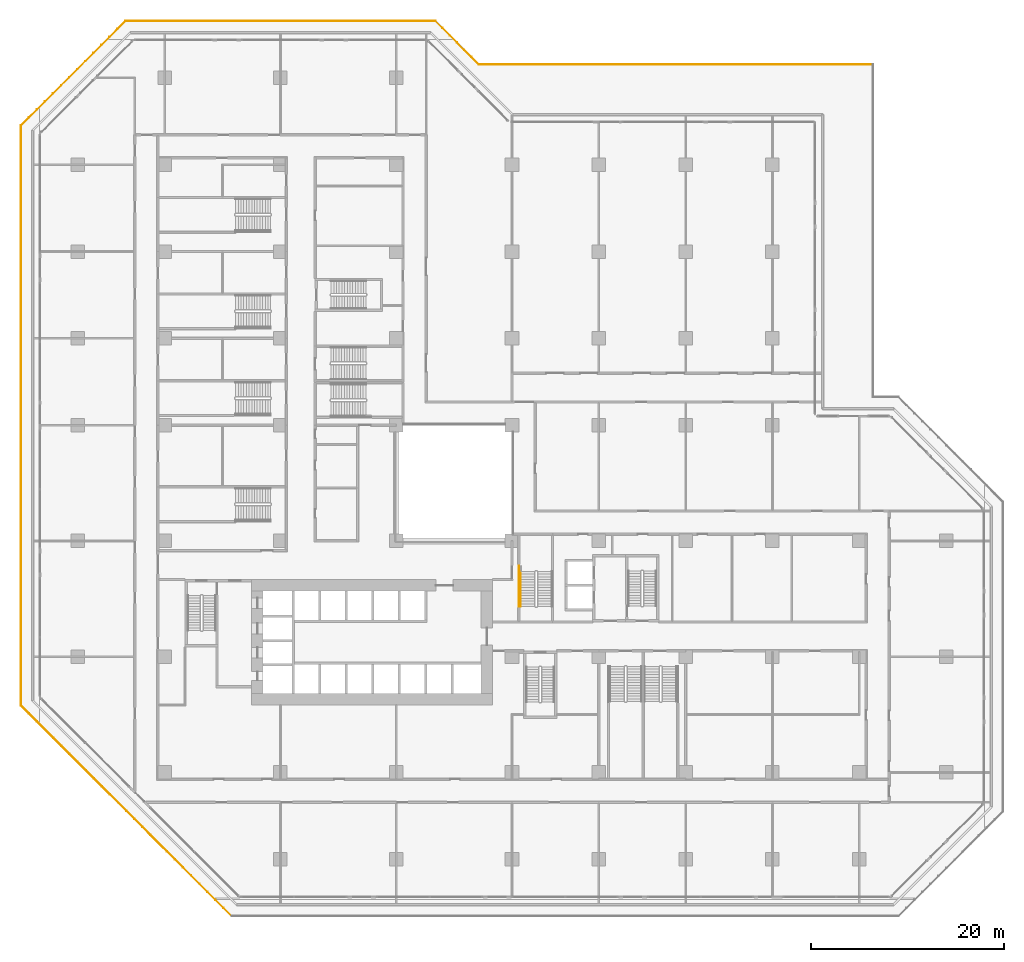
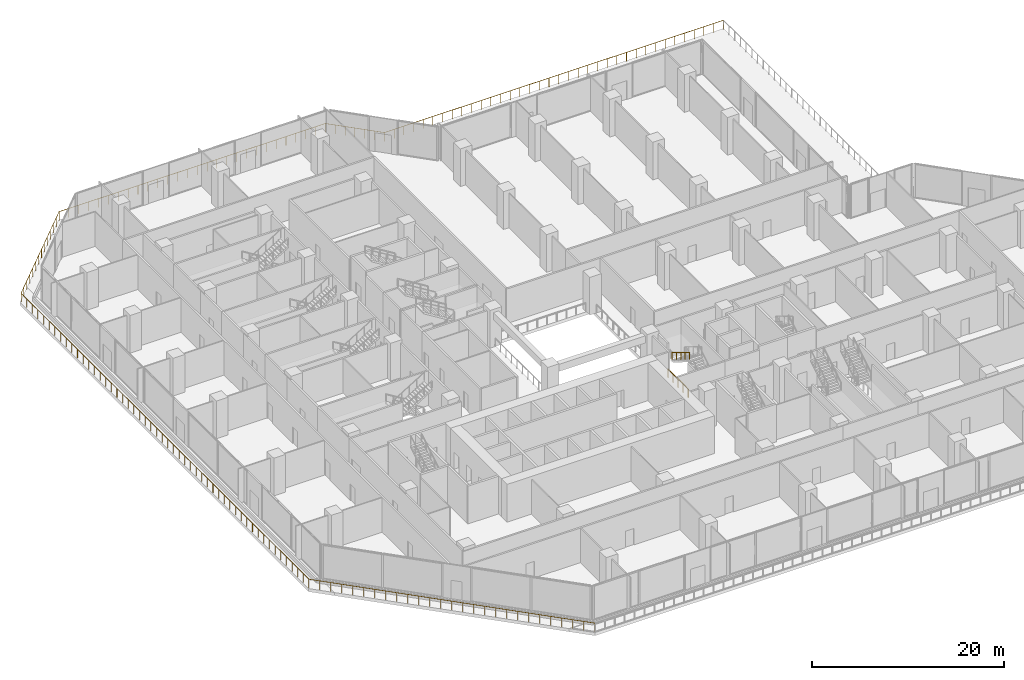
# One storey, part 27 of 31: 3 railings.
"""IFC4 building model written with IfcOpenShell, lengths in metres."""

from ifc_helpers import new_model, si_unit, direction, frame, origin, origin_2d, place, context, subcontext, project, spatial, rectangle, extrude, material, type_object, element, save


model = new_model("IFC4")

# Units and contexts
model_context = context("Model", 3, precision=1e-05, world=origin(), true_north=direction((0.0, 1.0)))
body_context = subcontext(model_context, "Body", "Model", "MODEL_VIEW")
ifc_project = project(units=[si_unit("LENGTHUNIT", "METRE"), si_unit("AREAUNIT", "SQUARE_METRE"), si_unit("VOLUMEUNIT", "CUBIC_METRE"), si_unit("PLANEANGLEUNIT", "RADIAN"), si_unit("MASSUNIT", "GRAM", prefix="KILO")], contexts=[model_context])

# Site, building, storey
site_placement = place(None, origin())
site = spatial("IfcSite", under=ifc_project, at=site_placement, CompositionType="ELEMENT")
building_placement = place(site_placement, origin())
building = spatial("IfcBuilding", under=site, at=building_placement, Name="Chenar Terraces", CompositionType="ELEMENT")
storey_placement = place(building_placement, frame((0.0, 0.0, 7.199951171875)))
storey = spatial("IfcBuildingStorey", under=building, at=storey_placement, Name="L01", CompositionType="ELEMENT", Elevation=7.199951171875)

# Railings
ifc_material_1 = material(Name="Powder-coated steel", Category="steel")
railing_type_1 = type_object("IfcRailingType", Name="Stair guard 1100", PredefinedType="GUARDRAIL", material=ifc_material_1)
railing_1_placement = place(storey_placement, frame((36.72509765625, 21.39990234375, 0.0)))
element("IfcRailing", 1, at=railing_1_placement, inside=storey, type_object=railing_type_1, Name="L01 PS1 stair guard 101", PredefinedType="GUARDRAIL", context=body_context, shape_type="SweptSolid", body=[
    extrude(rectangle(XDim=0.048095703125, YDim=0.048095703125, at=origin_2d()), frame((0.0, 0.0, 1.076171875), z_axis=(0.0, -1.0, 0.0), x_axis=(1.0, 0.0, 0.0)), (0.0, 0.0, 1.0), 4.199951171875),
    extrude(rectangle(XDim=0.0419921875, YDim=0.0419921875, at=origin_2d()), origin(), (0.0, 0.0, 1.0), 1.052001953125),
    extrude(rectangle(XDim=0.0419921875, YDim=0.0419921875, at=origin_2d()), frame((0.0, -1.050048828125, 0.0)), (0.0, 0.0, 1.0), 1.052001953125),
    extrude(rectangle(XDim=0.0419921875, YDim=0.0419921875, at=origin_2d()), frame((0.0, -2.10009765625, 0.0)), (0.0, 0.0, 1.0), 1.052001953125),
    extrude(rectangle(XDim=0.0419921875, YDim=0.0419921875, at=origin_2d()), frame((0.0, -3.14990234375, 0.0)), (0.0, 0.0, 1.0), 1.052001953125),
    extrude(rectangle(XDim=0.0419921875, YDim=0.0419921875, at=origin_2d()), frame((0.0, -4.199951171875, 0.0)), (0.0, 0.0, 1.0), 1.052001953125),
])
ifc_material_2 = material(Name="Powder-coated steel", Category="steel")
railing_type_2 = type_object("IfcRailingType", Name="Stair handrail 900", PredefinedType="HANDRAIL", material=ifc_material_2)
railing_2_placement = place(storey_placement, frame((36.875, 20.840087890625, 2.571533203125)))
element("IfcRailing", 2, at=railing_2_placement, inside=storey, type_object=railing_type_2, Name="L01 PS1 stair handrail 2", PredefinedType="HANDRAIL", context=body_context, shape_type="SweptSolid", body=[
    extrude(rectangle(XDim=0.048095703125, YDim=0.048095703125, at=origin_2d()), frame((0.0, 0.0, 0.8759765625), z_axis=(0.0, -0.852865859571, 0.52213008492), x_axis=(1.0, 0.0, 0.0)), (0.0, 0.0, 1.0), 4.26806640625),
    extrude(rectangle(XDim=0.0419921875, YDim=0.0419921875, at=origin_2d()), origin(), (0.0, 0.0, 1.0), 0.851806640625),
    extrude(rectangle(XDim=0.0419921875, YDim=0.0419921875, at=origin_2d()), frame((0.0, -0.91015625, 0.55712890625)), (0.0, 0.0, 1.0), 0.851806640625),
    extrude(rectangle(XDim=0.0419921875, YDim=0.0419921875, at=origin_2d()), frame((0.0, -1.820068359375, 1.1142578125)), (0.0, 0.0, 1.0), 0.851806640625),
    extrude(rectangle(XDim=0.0419921875, YDim=0.0419921875, at=origin_2d()), frame((0.0, -2.72998046875, 1.67138671875)), (0.0, 0.0, 1.0), 0.851806640625),
    extrude(rectangle(XDim=0.0419921875, YDim=0.0419921875, at=origin_2d()), frame((0.0, -3.64013671875, 2.228515625)), (0.0, 0.0, 1.0), 0.851806640625),
])
ifc_material_3 = material(Name="Stainless steel and glass", Category="steel")
railing_type_3 = type_object("IfcRailingType", Name="Terrace guard 1150", PredefinedType="GUARDRAIL", material=ifc_material_3)
railing_3_placement = place(storey_placement, frame((6.949462890625, -14.89990234375, 0.0)))
element("IfcRailing", 3, at=railing_3_placement, inside=storey, type_object=railing_type_3, Name="Terrace guard", PredefinedType="GUARDRAIL", context=body_context, shape_type="SweptSolid", body=[
    extrude(rectangle(XDim=0.048095703125, YDim=0.048095703125, at=origin_2d()), frame((0.0, 0.0, 1.1259765625), z_axis=(-0.707106781187, 0.707106781187, 0.0), x_axis=(-0.707106781187, -0.707106781187, 0.0)), (0.0, 0.0, 1.0), 30.899658203125),
    extrude(rectangle(XDim=0.048095703125, YDim=0.048095703125, at=origin_2d()), frame((-21.849365234375, 21.849365234375, 1.1259765625), z_axis=(0.0, 1.0, 0.0), x_axis=(-1.0, 0.0, 0.0)), (0.0, 0.0, 1.0), 60.10107421875),
    extrude(rectangle(XDim=0.048095703125, YDim=0.048095703125, at=origin_2d()), frame((-21.849365234375, 81.950439453125, 1.1259765625), z_axis=(0.707106781187, 0.707106781187, 0.0), x_axis=(-0.707106781187, 0.707106781187, 0.0)), (0.0, 0.0, 1.0), 15.34326171875),
    extrude(rectangle(XDim=0.048095703125, YDim=0.048095703125, at=origin_2d()), frame((-11.0, 92.7998046875, 1.1259765625), z_axis=(1.0, 0.0, 0.0), x_axis=(0.0, 1.0, 0.0)), (0.0, 0.0, 1.0), 32.10107421875),
    extrude(rectangle(XDim=0.048095703125, YDim=0.048095703125, at=origin_2d()), frame((21.10107421875, 92.7998046875, 1.1259765625), z_axis=(0.707106781187, -0.707106781187, 0.0), x_axis=(0.707106781187, 0.707106781187, 0.0)), (0.0, 0.0, 1.0), 6.364013671875),
    extrude(rectangle(XDim=0.048095703125, YDim=0.048095703125, at=origin_2d()), frame((25.60107421875, 88.2998046875, 1.1259765625), z_axis=(1.0, 0.0, 0.0), x_axis=(0.0, 1.0, 0.0)), (0.0, 0.0, 1.0), 40.849365234375),
    extrude(rectangle(XDim=0.0419921875, YDim=0.0419921875, at=origin_2d()), origin(), (0.0, 0.0, 1.0), 1.101806640625),
    extrude(rectangle(XDim=0.0419921875, YDim=0.0419921875, at=origin_2d()), frame((-0.84033203125, 0.84033203125, 0.0)), (0.0, 0.0, 1.0), 1.101806640625),
    extrude(rectangle(XDim=0.0419921875, YDim=0.0419921875, at=origin_2d()), frame((-1.6806640625, 1.6806640625, 0.0)), (0.0, 0.0, 1.0), 1.101806640625),
    extrude(rectangle(XDim=0.0419921875, YDim=0.0419921875, at=origin_2d()), frame((-2.52099609375, 2.52099609375, 0.0)), (0.0, 0.0, 1.0), 1.101806640625),
    extrude(rectangle(XDim=0.0419921875, YDim=0.0419921875, at=origin_2d()), frame((-3.361328125, 3.361328125, 0.0)), (0.0, 0.0, 1.0), 1.101806640625),
    extrude(rectangle(XDim=0.0419921875, YDim=0.0419921875, at=origin_2d()), frame((-4.201904296875, 4.201904296875, 0.0)), (0.0, 0.0, 1.0), 1.101806640625),
    extrude(rectangle(XDim=0.0419921875, YDim=0.0419921875, at=origin_2d()), frame((-5.042236328125, 5.042236328125, 0.0)), (0.0, 0.0, 1.0), 1.101806640625),
    extrude(rectangle(XDim=0.0419921875, YDim=0.0419921875, at=origin_2d()), frame((-5.882568359375, 5.882568359375, 0.0)), (0.0, 0.0, 1.0), 1.101806640625),
    extrude(rectangle(XDim=0.0419921875, YDim=0.0419921875, at=origin_2d()), frame((-6.722900390625, 6.722900390625, 0.0)), (0.0, 0.0, 1.0), 1.101806640625),
    extrude(rectangle(XDim=0.0419921875, YDim=0.0419921875, at=origin_2d()), frame((-7.563232421875, 7.563232421875, 0.0)), (0.0, 0.0, 1.0), 1.101806640625),
    extrude(rectangle(XDim=0.0419921875, YDim=0.0419921875, at=origin_2d()), frame((-8.403564453125, 8.403564453125, 0.0)), (0.0, 0.0, 1.0), 1.101806640625),
    extrude(rectangle(XDim=0.0419921875, YDim=0.0419921875, at=origin_2d()), frame((-9.243896484375, 9.243896484375, 0.0)), (0.0, 0.0, 1.0), 1.101806640625),
    extrude(rectangle(XDim=0.0419921875, YDim=0.0419921875, at=origin_2d()), frame((-10.084228515625, 10.084228515625, 0.0)), (0.0, 0.0, 1.0), 1.101806640625),
    extrude(rectangle(XDim=0.0419921875, YDim=0.0419921875, at=origin_2d()), frame((-10.9248046875, 10.9248046875, 0.0)), (0.0, 0.0, 1.0), 1.101806640625),
    extrude(rectangle(XDim=0.0419921875, YDim=0.0419921875, at=origin_2d()), frame((-11.76513671875, 11.76513671875, 0.0)), (0.0, 0.0, 1.0), 1.101806640625),
    extrude(rectangle(XDim=0.0419921875, YDim=0.0419921875, at=origin_2d()), frame((-12.60546875, 12.60546875, 0.0)), (0.0, 0.0, 1.0), 1.101806640625),
    extrude(rectangle(XDim=0.0419921875, YDim=0.0419921875, at=origin_2d()), frame((-13.44580078125, 13.44580078125, 0.0)), (0.0, 0.0, 1.0), 1.101806640625),
    extrude(rectangle(XDim=0.0419921875, YDim=0.0419921875, at=origin_2d()), frame((-14.2861328125, 14.2861328125, 0.0)), (0.0, 0.0, 1.0), 1.101806640625),
    extrude(rectangle(XDim=0.0419921875, YDim=0.0419921875, at=origin_2d()), frame((-15.12646484375, 15.12646484375, 0.0)), (0.0, 0.0, 1.0), 1.101806640625),
    extrude(rectangle(XDim=0.0419921875, YDim=0.0419921875, at=origin_2d()), frame((-15.966796875, 15.966796875, 0.0)), (0.0, 0.0, 1.0), 1.101806640625),
    extrude(rectangle(XDim=0.0419921875, YDim=0.0419921875, at=origin_2d()), frame((-16.80712890625, 16.80712890625, 0.0)), (0.0, 0.0, 1.0), 1.101806640625),
    extrude(rectangle(XDim=0.0419921875, YDim=0.0419921875, at=origin_2d()), frame((-17.6474609375, 17.6474609375, 0.0)), (0.0, 0.0, 1.0), 1.101806640625),
    extrude(rectangle(XDim=0.0419921875, YDim=0.0419921875, at=origin_2d()), frame((-18.488037109375, 18.488037109375, 0.0)), (0.0, 0.0, 1.0), 1.101806640625),
    extrude(rectangle(XDim=0.0419921875, YDim=0.0419921875, at=origin_2d()), frame((-19.328369140625, 19.328369140625, 0.0)), (0.0, 0.0, 1.0), 1.101806640625),
    extrude(rectangle(XDim=0.0419921875, YDim=0.0419921875, at=origin_2d()), frame((-20.168701171875, 20.168701171875, 0.0)), (0.0, 0.0, 1.0), 1.101806640625),
    extrude(rectangle(XDim=0.0419921875, YDim=0.0419921875, at=origin_2d()), frame((-21.009033203125, 21.009033203125, 0.0)), (0.0, 0.0, 1.0), 1.101806640625),
    extrude(rectangle(XDim=0.0419921875, YDim=0.0419921875, at=origin_2d()), frame((-21.849365234375, 21.849365234375, 0.0)), (0.0, 0.0, 1.0), 1.101806640625),
    extrude(rectangle(XDim=0.0419921875, YDim=0.0419921875, at=origin_2d()), frame((-21.849365234375, 23.02783203125, 0.0)), (0.0, 0.0, 1.0), 1.101806640625),
    extrude(rectangle(XDim=0.0419921875, YDim=0.0419921875, at=origin_2d()), frame((-21.849365234375, 24.206298828125, 0.0)), (0.0, 0.0, 1.0), 1.101806640625),
    extrude(rectangle(XDim=0.0419921875, YDim=0.0419921875, at=origin_2d()), frame((-21.849365234375, 25.384765625, 0.0)), (0.0, 0.0, 1.0), 1.101806640625),
    extrude(rectangle(XDim=0.0419921875, YDim=0.0419921875, at=origin_2d()), frame((-21.849365234375, 26.563232421875, 0.0)), (0.0, 0.0, 1.0), 1.101806640625),
    extrude(rectangle(XDim=0.0419921875, YDim=0.0419921875, at=origin_2d()), frame((-21.849365234375, 27.74169921875, 0.0)), (0.0, 0.0, 1.0), 1.101806640625),
    extrude(rectangle(XDim=0.0419921875, YDim=0.0419921875, at=origin_2d()), frame((-21.849365234375, 28.920166015625, 0.0)), (0.0, 0.0, 1.0), 1.101806640625),
    extrude(rectangle(XDim=0.0419921875, YDim=0.0419921875, at=origin_2d()), frame((-21.849365234375, 30.0986328125, 0.0)), (0.0, 0.0, 1.0), 1.101806640625),
    extrude(rectangle(XDim=0.0419921875, YDim=0.0419921875, at=origin_2d()), frame((-21.849365234375, 31.277099609375, 0.0)), (0.0, 0.0, 1.0), 1.101806640625),
    extrude(rectangle(XDim=0.0419921875, YDim=0.0419921875, at=origin_2d()), frame((-21.849365234375, 32.455322265625, 0.0)), (0.0, 0.0, 1.0), 1.101806640625),
    extrude(rectangle(XDim=0.0419921875, YDim=0.0419921875, at=origin_2d()), frame((-21.849365234375, 33.6337890625, 0.0)), (0.0, 0.0, 1.0), 1.101806640625),
    extrude(rectangle(XDim=0.0419921875, YDim=0.0419921875, at=origin_2d()), frame((-21.849365234375, 34.812255859375, 0.0)), (0.0, 0.0, 1.0), 1.101806640625),
    extrude(rectangle(XDim=0.0419921875, YDim=0.0419921875, at=origin_2d()), frame((-21.849365234375, 35.99072265625, 0.0)), (0.0, 0.0, 1.0), 1.101806640625),
    extrude(rectangle(XDim=0.0419921875, YDim=0.0419921875, at=origin_2d()), frame((-21.849365234375, 37.169189453125, 0.0)), (0.0, 0.0, 1.0), 1.101806640625),
    extrude(rectangle(XDim=0.0419921875, YDim=0.0419921875, at=origin_2d()), frame((-21.849365234375, 38.34765625, 0.0)), (0.0, 0.0, 1.0), 1.101806640625),
    extrude(rectangle(XDim=0.0419921875, YDim=0.0419921875, at=origin_2d()), frame((-21.849365234375, 39.526123046875, 0.0)), (0.0, 0.0, 1.0), 1.101806640625),
    extrude(rectangle(XDim=0.0419921875, YDim=0.0419921875, at=origin_2d()), frame((-21.849365234375, 40.70458984375, 0.0)), (0.0, 0.0, 1.0), 1.101806640625),
    extrude(rectangle(XDim=0.0419921875, YDim=0.0419921875, at=origin_2d()), frame((-21.849365234375, 41.883056640625, 0.0)), (0.0, 0.0, 1.0), 1.101806640625),
    extrude(rectangle(XDim=0.0419921875, YDim=0.0419921875, at=origin_2d()), frame((-21.849365234375, 43.0615234375, 0.0)), (0.0, 0.0, 1.0), 1.101806640625),
    extrude(rectangle(XDim=0.0419921875, YDim=0.0419921875, at=origin_2d()), frame((-21.849365234375, 44.239990234375, 0.0)), (0.0, 0.0, 1.0), 1.101806640625),
    extrude(rectangle(XDim=0.0419921875, YDim=0.0419921875, at=origin_2d()), frame((-21.849365234375, 45.41845703125, 0.0)), (0.0, 0.0, 1.0), 1.101806640625),
    extrude(rectangle(XDim=0.0419921875, YDim=0.0419921875, at=origin_2d()), frame((-21.849365234375, 46.596923828125, 0.0)), (0.0, 0.0, 1.0), 1.101806640625),
    extrude(rectangle(XDim=0.0419921875, YDim=0.0419921875, at=origin_2d()), frame((-21.849365234375, 47.775390625, 0.0)), (0.0, 0.0, 1.0), 1.101806640625),
    extrude(rectangle(XDim=0.0419921875, YDim=0.0419921875, at=origin_2d()), frame((-21.849365234375, 48.953857421875, 0.0)), (0.0, 0.0, 1.0), 1.101806640625),
    extrude(rectangle(XDim=0.0419921875, YDim=0.0419921875, at=origin_2d()), frame((-21.849365234375, 50.13232421875, 0.0)), (0.0, 0.0, 1.0), 1.101806640625),
    extrude(rectangle(XDim=0.0419921875, YDim=0.0419921875, at=origin_2d()), frame((-21.849365234375, 51.310791015625, 0.0)), (0.0, 0.0, 1.0), 1.101806640625),
    extrude(rectangle(XDim=0.0419921875, YDim=0.0419921875, at=origin_2d()), frame((-21.849365234375, 52.489013671875, 0.0)), (0.0, 0.0, 1.0), 1.101806640625),
    extrude(rectangle(XDim=0.0419921875, YDim=0.0419921875, at=origin_2d()), frame((-21.849365234375, 53.66748046875, 0.0)), (0.0, 0.0, 1.0), 1.101806640625),
    extrude(rectangle(XDim=0.0419921875, YDim=0.0419921875, at=origin_2d()), frame((-21.849365234375, 54.845947265625, 0.0)), (0.0, 0.0, 1.0), 1.101806640625),
    extrude(rectangle(XDim=0.0419921875, YDim=0.0419921875, at=origin_2d()), frame((-21.849365234375, 56.0244140625, 0.0)), (0.0, 0.0, 1.0), 1.101806640625),
    extrude(rectangle(XDim=0.0419921875, YDim=0.0419921875, at=origin_2d()), frame((-21.849365234375, 57.202880859375, 0.0)), (0.0, 0.0, 1.0), 1.101806640625),
    extrude(rectangle(XDim=0.0419921875, YDim=0.0419921875, at=origin_2d()), frame((-21.849365234375, 58.38134765625, 0.0)), (0.0, 0.0, 1.0), 1.101806640625),
    extrude(rectangle(XDim=0.0419921875, YDim=0.0419921875, at=origin_2d()), frame((-21.849365234375, 59.559814453125, 0.0)), (0.0, 0.0, 1.0), 1.101806640625),
    extrude(rectangle(XDim=0.0419921875, YDim=0.0419921875, at=origin_2d()), frame((-21.849365234375, 60.73828125, 0.0)), (0.0, 0.0, 1.0), 1.101806640625),
    extrude(rectangle(XDim=0.0419921875, YDim=0.0419921875, at=origin_2d()), frame((-21.849365234375, 61.916748046875, 0.0)), (0.0, 0.0, 1.0), 1.101806640625),
    extrude(rectangle(XDim=0.0419921875, YDim=0.0419921875, at=origin_2d()), frame((-21.849365234375, 63.09521484375, 0.0)), (0.0, 0.0, 1.0), 1.101806640625),
    extrude(rectangle(XDim=0.0419921875, YDim=0.0419921875, at=origin_2d()), frame((-21.849365234375, 64.273681640625, 0.0)), (0.0, 0.0, 1.0), 1.101806640625),
    extrude(rectangle(XDim=0.0419921875, YDim=0.0419921875, at=origin_2d()), frame((-21.849365234375, 65.4521484375, 0.0)), (0.0, 0.0, 1.0), 1.101806640625),
    extrude(rectangle(XDim=0.0419921875, YDim=0.0419921875, at=origin_2d()), frame((-21.849365234375, 66.630615234375, 0.0)), (0.0, 0.0, 1.0), 1.101806640625),
    extrude(rectangle(XDim=0.0419921875, YDim=0.0419921875, at=origin_2d()), frame((-21.849365234375, 67.80908203125, 0.0)), (0.0, 0.0, 1.0), 1.101806640625),
    extrude(rectangle(XDim=0.0419921875, YDim=0.0419921875, at=origin_2d()), frame((-21.849365234375, 68.987548828125, 0.0)), (0.0, 0.0, 1.0), 1.101806640625),
    extrude(rectangle(XDim=0.0419921875, YDim=0.0419921875, at=origin_2d()), frame((-21.849365234375, 70.166015625, 0.0)), (0.0, 0.0, 1.0), 1.101806640625),
    extrude(rectangle(XDim=0.0419921875, YDim=0.0419921875, at=origin_2d()), frame((-21.849365234375, 71.344482421875, 0.0)), (0.0, 0.0, 1.0), 1.101806640625),
    extrude(rectangle(XDim=0.0419921875, YDim=0.0419921875, at=origin_2d()), frame((-21.849365234375, 72.522705078125, 0.0)), (0.0, 0.0, 1.0), 1.101806640625),
    extrude(rectangle(XDim=0.0419921875, YDim=0.0419921875, at=origin_2d()), frame((-21.849365234375, 73.701171875, 0.0)), (0.0, 0.0, 1.0), 1.101806640625),
    extrude(rectangle(XDim=0.0419921875, YDim=0.0419921875, at=origin_2d()), frame((-21.849365234375, 74.879638671875, 0.0)), (0.0, 0.0, 1.0), 1.101806640625),
    extrude(rectangle(XDim=0.0419921875, YDim=0.0419921875, at=origin_2d()), frame((-21.849365234375, 76.05810546875, 0.0)), (0.0, 0.0, 1.0), 1.101806640625),
    extrude(rectangle(XDim=0.0419921875, YDim=0.0419921875, at=origin_2d()), frame((-21.849365234375, 77.236572265625, 0.0)), (0.0, 0.0, 1.0), 1.101806640625),
    extrude(rectangle(XDim=0.0419921875, YDim=0.0419921875, at=origin_2d()), frame((-21.849365234375, 78.4150390625, 0.0)), (0.0, 0.0, 1.0), 1.101806640625),
    extrude(rectangle(XDim=0.0419921875, YDim=0.0419921875, at=origin_2d()), frame((-21.849365234375, 79.593505859375, 0.0)), (0.0, 0.0, 1.0), 1.101806640625),
    extrude(rectangle(XDim=0.0419921875, YDim=0.0419921875, at=origin_2d()), frame((-21.849365234375, 80.77197265625, 0.0)), (0.0, 0.0, 1.0), 1.101806640625),
    extrude(rectangle(XDim=0.0419921875, YDim=0.0419921875, at=origin_2d()), frame((-21.849365234375, 81.950439453125, 0.0)), (0.0, 0.0, 1.0), 1.101806640625),
    extrude(rectangle(XDim=0.0419921875, YDim=0.0419921875, at=origin_2d()), frame((-21.014892578125, 82.784912109375, 0.0)), (0.0, 0.0, 1.0), 1.101806640625),
    extrude(rectangle(XDim=0.0419921875, YDim=0.0419921875, at=origin_2d()), frame((-20.18017578125, 83.61962890625, 0.0)), (0.0, 0.0, 1.0), 1.101806640625),
    extrude(rectangle(XDim=0.0419921875, YDim=0.0419921875, at=origin_2d()), frame((-19.345703125, 84.4541015625, 0.0)), (0.0, 0.0, 1.0), 1.101806640625),
    extrude(rectangle(XDim=0.0419921875, YDim=0.0419921875, at=origin_2d()), frame((-18.510986328125, 85.288818359375, 0.0)), (0.0, 0.0, 1.0), 1.101806640625),
    extrude(rectangle(XDim=0.0419921875, YDim=0.0419921875, at=origin_2d()), frame((-17.676513671875, 86.123291015625, 0.0)), (0.0, 0.0, 1.0), 1.101806640625),
    extrude(rectangle(XDim=0.0419921875, YDim=0.0419921875, at=origin_2d()), frame((-16.842041015625, 86.957763671875, 0.0)), (0.0, 0.0, 1.0), 1.101806640625),
    extrude(rectangle(XDim=0.0419921875, YDim=0.0419921875, at=origin_2d()), frame((-16.00732421875, 87.79248046875, 0.0)), (0.0, 0.0, 1.0), 1.101806640625),
    extrude(rectangle(XDim=0.0419921875, YDim=0.0419921875, at=origin_2d()), frame((-15.1728515625, 88.626953125, 0.0)), (0.0, 0.0, 1.0), 1.101806640625),
    extrude(rectangle(XDim=0.0419921875, YDim=0.0419921875, at=origin_2d()), frame((-14.33837890625, 89.46142578125, 0.0)), (0.0, 0.0, 1.0), 1.101806640625),
    extrude(rectangle(XDim=0.0419921875, YDim=0.0419921875, at=origin_2d()), frame((-13.503662109375, 90.296142578125, 0.0)), (0.0, 0.0, 1.0), 1.101806640625),
    extrude(rectangle(XDim=0.0419921875, YDim=0.0419921875, at=origin_2d()), frame((-12.669189453125, 91.130615234375, 0.0)), (0.0, 0.0, 1.0), 1.101806640625),
    extrude(rectangle(XDim=0.0419921875, YDim=0.0419921875, at=origin_2d()), frame((-11.83447265625, 91.96533203125, 0.0)), (0.0, 0.0, 1.0), 1.101806640625),
    extrude(rectangle(XDim=0.0419921875, YDim=0.0419921875, at=origin_2d()), frame((-11.0, 92.7998046875, 0.0)), (0.0, 0.0, 1.0), 1.101806640625),
    extrude(rectangle(XDim=0.0419921875, YDim=0.0419921875, at=origin_2d()), frame((-9.81103515625, 92.7998046875, 0.0)), (0.0, 0.0, 1.0), 1.101806640625),
    extrude(rectangle(XDim=0.0419921875, YDim=0.0419921875, at=origin_2d()), frame((-8.6220703125, 92.7998046875, 0.0)), (0.0, 0.0, 1.0), 1.101806640625),
    extrude(rectangle(XDim=0.0419921875, YDim=0.0419921875, at=origin_2d()), frame((-7.43310546875, 92.7998046875, 0.0)), (0.0, 0.0, 1.0), 1.101806640625),
    extrude(rectangle(XDim=0.0419921875, YDim=0.0419921875, at=origin_2d()), frame((-6.244384765625, 92.7998046875, 0.0)), (0.0, 0.0, 1.0), 1.101806640625),
    extrude(rectangle(XDim=0.0419921875, YDim=0.0419921875, at=origin_2d()), frame((-5.055419921875, 92.7998046875, 0.0)), (0.0, 0.0, 1.0), 1.101806640625),
    extrude(rectangle(XDim=0.0419921875, YDim=0.0419921875, at=origin_2d()), frame((-3.866455078125, 92.7998046875, 0.0)), (0.0, 0.0, 1.0), 1.101806640625),
    extrude(rectangle(XDim=0.0419921875, YDim=0.0419921875, at=origin_2d()), frame((-2.677490234375, 92.7998046875, 0.0)), (0.0, 0.0, 1.0), 1.101806640625),
    extrude(rectangle(XDim=0.0419921875, YDim=0.0419921875, at=origin_2d()), frame((-1.488525390625, 92.7998046875, 0.0)), (0.0, 0.0, 1.0), 1.101806640625),
    extrude(rectangle(XDim=0.0419921875, YDim=0.0419921875, at=origin_2d()), frame((-0.299560546875, 92.7998046875, 0.0)), (0.0, 0.0, 1.0), 1.101806640625),
    extrude(rectangle(XDim=0.0419921875, YDim=0.0419921875, at=origin_2d()), frame((0.889404296875, 92.7998046875, 0.0)), (0.0, 0.0, 1.0), 1.101806640625),
    extrude(rectangle(XDim=0.0419921875, YDim=0.0419921875, at=origin_2d()), frame((2.078125, 92.7998046875, 0.0)), (0.0, 0.0, 1.0), 1.101806640625),
    extrude(rectangle(XDim=0.0419921875, YDim=0.0419921875, at=origin_2d()), frame((3.26708984375, 92.7998046875, 0.0)), (0.0, 0.0, 1.0), 1.101806640625),
    extrude(rectangle(XDim=0.0419921875, YDim=0.0419921875, at=origin_2d()), frame((4.4560546875, 92.7998046875, 0.0)), (0.0, 0.0, 1.0), 1.101806640625),
    extrude(rectangle(XDim=0.0419921875, YDim=0.0419921875, at=origin_2d()), frame((5.64501953125, 92.7998046875, 0.0)), (0.0, 0.0, 1.0), 1.101806640625),
    extrude(rectangle(XDim=0.0419921875, YDim=0.0419921875, at=origin_2d()), frame((6.833984375, 92.7998046875, 0.0)), (0.0, 0.0, 1.0), 1.101806640625),
    extrude(rectangle(XDim=0.0419921875, YDim=0.0419921875, at=origin_2d()), frame((8.02294921875, 92.7998046875, 0.0)), (0.0, 0.0, 1.0), 1.101806640625),
    extrude(rectangle(XDim=0.0419921875, YDim=0.0419921875, at=origin_2d()), frame((9.211669921875, 92.7998046875, 0.0)), (0.0, 0.0, 1.0), 1.101806640625),
    extrude(rectangle(XDim=0.0419921875, YDim=0.0419921875, at=origin_2d()), frame((10.400634765625, 92.7998046875, 0.0)), (0.0, 0.0, 1.0), 1.101806640625),
    extrude(rectangle(XDim=0.0419921875, YDim=0.0419921875, at=origin_2d()), frame((11.589599609375, 92.7998046875, 0.0)), (0.0, 0.0, 1.0), 1.101806640625),
    extrude(rectangle(XDim=0.0419921875, YDim=0.0419921875, at=origin_2d()), frame((12.778564453125, 92.7998046875, 0.0)), (0.0, 0.0, 1.0), 1.101806640625),
    extrude(rectangle(XDim=0.0419921875, YDim=0.0419921875, at=origin_2d()), frame((13.967529296875, 92.7998046875, 0.0)), (0.0, 0.0, 1.0), 1.101806640625),
    extrude(rectangle(XDim=0.0419921875, YDim=0.0419921875, at=origin_2d()), frame((15.156494140625, 92.7998046875, 0.0)), (0.0, 0.0, 1.0), 1.101806640625),
    extrude(rectangle(XDim=0.0419921875, YDim=0.0419921875, at=origin_2d()), frame((16.345458984375, 92.7998046875, 0.0)), (0.0, 0.0, 1.0), 1.101806640625),
    extrude(rectangle(XDim=0.0419921875, YDim=0.0419921875, at=origin_2d()), frame((17.5341796875, 92.7998046875, 0.0)), (0.0, 0.0, 1.0), 1.101806640625),
    extrude(rectangle(XDim=0.0419921875, YDim=0.0419921875, at=origin_2d()), frame((18.72314453125, 92.7998046875, 0.0)), (0.0, 0.0, 1.0), 1.101806640625),
    extrude(rectangle(XDim=0.0419921875, YDim=0.0419921875, at=origin_2d()), frame((19.912109375, 92.7998046875, 0.0)), (0.0, 0.0, 1.0), 1.101806640625),
    extrude(rectangle(XDim=0.0419921875, YDim=0.0419921875, at=origin_2d()), frame((21.10107421875, 92.7998046875, 0.0)), (0.0, 0.0, 1.0), 1.101806640625),
    extrude(rectangle(XDim=0.0419921875, YDim=0.0419921875, at=origin_2d()), frame((21.85107421875, 92.0498046875, 0.0)), (0.0, 0.0, 1.0), 1.101806640625),
    extrude(rectangle(XDim=0.0419921875, YDim=0.0419921875, at=origin_2d()), frame((22.60107421875, 91.2998046875, 0.0)), (0.0, 0.0, 1.0), 1.101806640625),
    extrude(rectangle(XDim=0.0419921875, YDim=0.0419921875, at=origin_2d()), frame((23.35107421875, 90.5498046875, 0.0)), (0.0, 0.0, 1.0), 1.101806640625),
    extrude(rectangle(XDim=0.0419921875, YDim=0.0419921875, at=origin_2d()), frame((24.10107421875, 89.7998046875, 0.0)), (0.0, 0.0, 1.0), 1.101806640625),
    extrude(rectangle(XDim=0.0419921875, YDim=0.0419921875, at=origin_2d()), frame((24.85107421875, 89.0498046875, 0.0)), (0.0, 0.0, 1.0), 1.101806640625),
    extrude(rectangle(XDim=0.0419921875, YDim=0.0419921875, at=origin_2d()), frame((25.60107421875, 88.2998046875, 0.0)), (0.0, 0.0, 1.0), 1.101806640625),
    extrude(rectangle(XDim=0.0419921875, YDim=0.0419921875, at=origin_2d()), frame((26.768310546875, 88.2998046875, 0.0)), (0.0, 0.0, 1.0), 1.101806640625),
    extrude(rectangle(XDim=0.0419921875, YDim=0.0419921875, at=origin_2d()), frame((27.935302734375, 88.2998046875, 0.0)), (0.0, 0.0, 1.0), 1.101806640625),
    extrude(rectangle(XDim=0.0419921875, YDim=0.0419921875, at=origin_2d()), frame((29.1025390625, 88.2998046875, 0.0)), (0.0, 0.0, 1.0), 1.101806640625),
    extrude(rectangle(XDim=0.0419921875, YDim=0.0419921875, at=origin_2d()), frame((30.26953125, 88.2998046875, 0.0)), (0.0, 0.0, 1.0), 1.101806640625),
    extrude(rectangle(XDim=0.0419921875, YDim=0.0419921875, at=origin_2d()), frame((31.436767578125, 88.2998046875, 0.0)), (0.0, 0.0, 1.0), 1.101806640625),
    extrude(rectangle(XDim=0.0419921875, YDim=0.0419921875, at=origin_2d()), frame((32.603759765625, 88.2998046875, 0.0)), (0.0, 0.0, 1.0), 1.101806640625),
    extrude(rectangle(XDim=0.0419921875, YDim=0.0419921875, at=origin_2d()), frame((33.77099609375, 88.2998046875, 0.0)), (0.0, 0.0, 1.0), 1.101806640625),
    extrude(rectangle(XDim=0.0419921875, YDim=0.0419921875, at=origin_2d()), frame((34.93798828125, 88.2998046875, 0.0)), (0.0, 0.0, 1.0), 1.101806640625),
    extrude(rectangle(XDim=0.0419921875, YDim=0.0419921875, at=origin_2d()), frame((36.105224609375, 88.2998046875, 0.0)), (0.0, 0.0, 1.0), 1.101806640625),
    extrude(rectangle(XDim=0.0419921875, YDim=0.0419921875, at=origin_2d()), frame((37.272216796875, 88.2998046875, 0.0)), (0.0, 0.0, 1.0), 1.101806640625),
    extrude(rectangle(XDim=0.0419921875, YDim=0.0419921875, at=origin_2d()), frame((38.439453125, 88.2998046875, 0.0)), (0.0, 0.0, 1.0), 1.101806640625),
    extrude(rectangle(XDim=0.0419921875, YDim=0.0419921875, at=origin_2d()), frame((39.606689453125, 88.2998046875, 0.0)), (0.0, 0.0, 1.0), 1.101806640625),
    extrude(rectangle(XDim=0.0419921875, YDim=0.0419921875, at=origin_2d()), frame((40.773681640625, 88.2998046875, 0.0)), (0.0, 0.0, 1.0), 1.101806640625),
    extrude(rectangle(XDim=0.0419921875, YDim=0.0419921875, at=origin_2d()), frame((41.94091796875, 88.2998046875, 0.0)), (0.0, 0.0, 1.0), 1.101806640625),
    extrude(rectangle(XDim=0.0419921875, YDim=0.0419921875, at=origin_2d()), frame((43.10791015625, 88.2998046875, 0.0)), (0.0, 0.0, 1.0), 1.101806640625),
    extrude(rectangle(XDim=0.0419921875, YDim=0.0419921875, at=origin_2d()), frame((44.275146484375, 88.2998046875, 0.0)), (0.0, 0.0, 1.0), 1.101806640625),
    extrude(rectangle(XDim=0.0419921875, YDim=0.0419921875, at=origin_2d()), frame((45.442138671875, 88.2998046875, 0.0)), (0.0, 0.0, 1.0), 1.101806640625),
    extrude(rectangle(XDim=0.0419921875, YDim=0.0419921875, at=origin_2d()), frame((46.609375, 88.2998046875, 0.0)), (0.0, 0.0, 1.0), 1.101806640625),
    extrude(rectangle(XDim=0.0419921875, YDim=0.0419921875, at=origin_2d()), frame((47.7763671875, 88.2998046875, 0.0)), (0.0, 0.0, 1.0), 1.101806640625),
    extrude(rectangle(XDim=0.0419921875, YDim=0.0419921875, at=origin_2d()), frame((48.943603515625, 88.2998046875, 0.0)), (0.0, 0.0, 1.0), 1.101806640625),
    extrude(rectangle(XDim=0.0419921875, YDim=0.0419921875, at=origin_2d()), frame((50.110595703125, 88.2998046875, 0.0)), (0.0, 0.0, 1.0), 1.101806640625),
    extrude(rectangle(XDim=0.0419921875, YDim=0.0419921875, at=origin_2d()), frame((51.27783203125, 88.2998046875, 0.0)), (0.0, 0.0, 1.0), 1.101806640625),
    extrude(rectangle(XDim=0.0419921875, YDim=0.0419921875, at=origin_2d()), frame((52.44482421875, 88.2998046875, 0.0)), (0.0, 0.0, 1.0), 1.101806640625),
    extrude(rectangle(XDim=0.0419921875, YDim=0.0419921875, at=origin_2d()), frame((53.612060546875, 88.2998046875, 0.0)), (0.0, 0.0, 1.0), 1.101806640625),
    extrude(rectangle(XDim=0.0419921875, YDim=0.0419921875, at=origin_2d()), frame((54.779296875, 88.2998046875, 0.0)), (0.0, 0.0, 1.0), 1.101806640625),
    extrude(rectangle(XDim=0.0419921875, YDim=0.0419921875, at=origin_2d()), frame((55.9462890625, 88.2998046875, 0.0)), (0.0, 0.0, 1.0), 1.101806640625),
    extrude(rectangle(XDim=0.0419921875, YDim=0.0419921875, at=origin_2d()), frame((57.113525390625, 88.2998046875, 0.0)), (0.0, 0.0, 1.0), 1.101806640625),
    extrude(rectangle(XDim=0.0419921875, YDim=0.0419921875, at=origin_2d()), frame((58.280517578125, 88.2998046875, 0.0)), (0.0, 0.0, 1.0), 1.101806640625),
    extrude(rectangle(XDim=0.0419921875, YDim=0.0419921875, at=origin_2d()), frame((59.44775390625, 88.2998046875, 0.0)), (0.0, 0.0, 1.0), 1.101806640625),
    extrude(rectangle(XDim=0.0419921875, YDim=0.0419921875, at=origin_2d()), frame((60.61474609375, 88.2998046875, 0.0)), (0.0, 0.0, 1.0), 1.101806640625),
    extrude(rectangle(XDim=0.0419921875, YDim=0.0419921875, at=origin_2d()), frame((61.781982421875, 88.2998046875, 0.0)), (0.0, 0.0, 1.0), 1.101806640625),
    extrude(rectangle(XDim=0.0419921875, YDim=0.0419921875, at=origin_2d()), frame((62.948974609375, 88.2998046875, 0.0)), (0.0, 0.0, 1.0), 1.101806640625),
    extrude(rectangle(XDim=0.0419921875, YDim=0.0419921875, at=origin_2d()), frame((64.1162109375, 88.2998046875, 0.0)), (0.0, 0.0, 1.0), 1.101806640625),
    extrude(rectangle(XDim=0.0419921875, YDim=0.0419921875, at=origin_2d()), frame((65.283203125, 88.2998046875, 0.0)), (0.0, 0.0, 1.0), 1.101806640625),
    extrude(rectangle(XDim=0.0419921875, YDim=0.0419921875, at=origin_2d()), frame((66.450439453125, 88.2998046875, 0.0)), (0.0, 0.0, 1.0), 1.101806640625),
])

save(model, "model.ifc")
